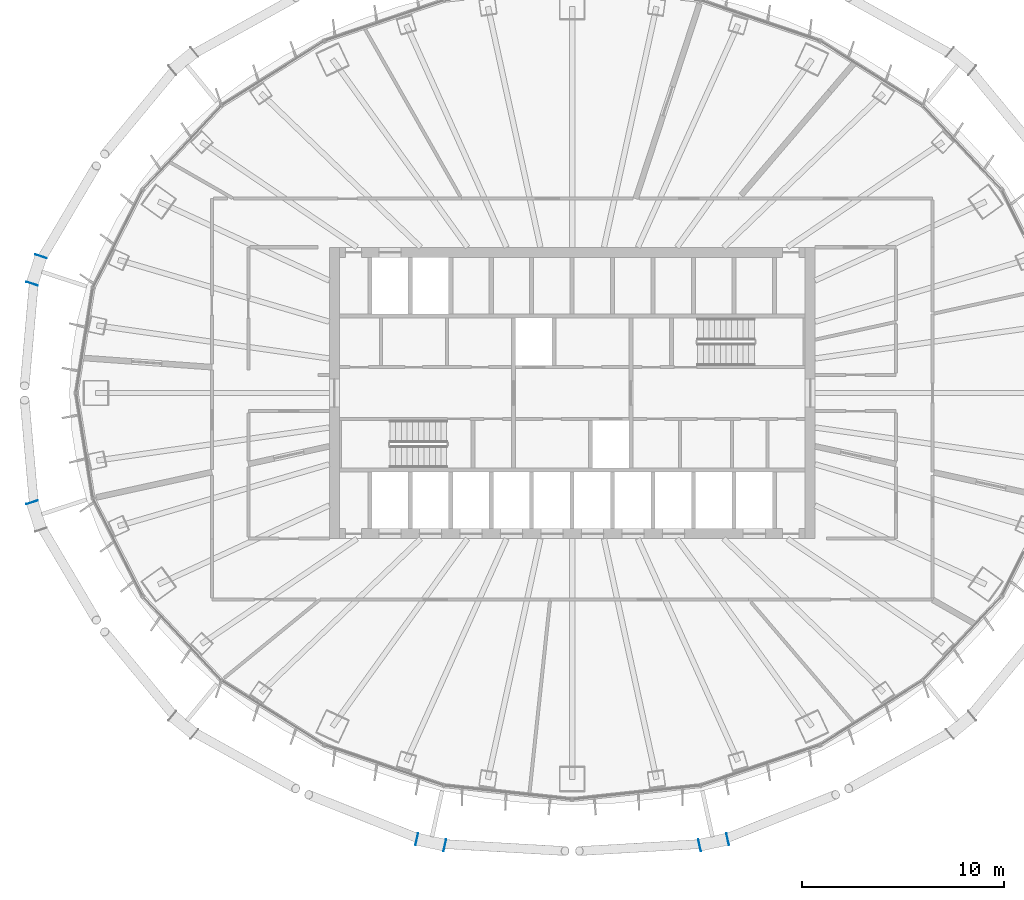
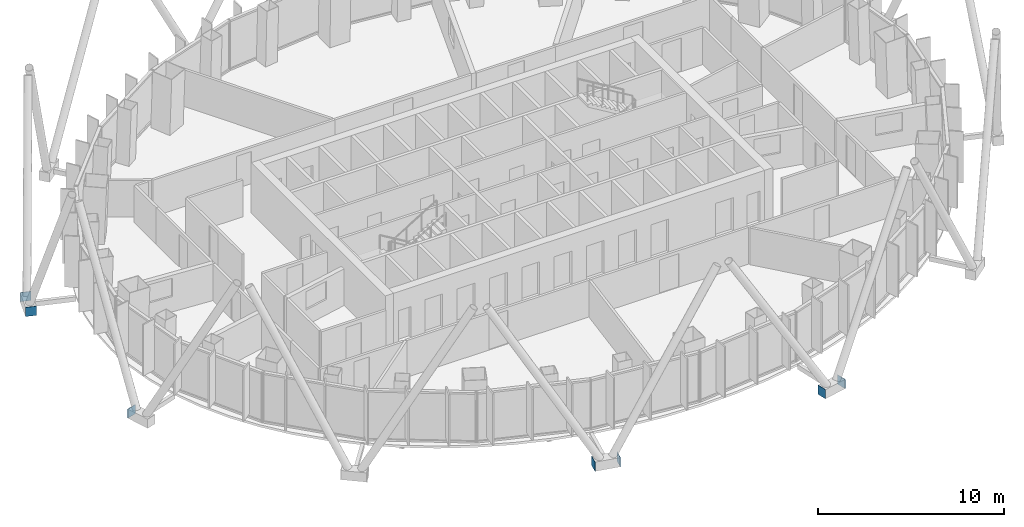
# One storey, part 12 of 18: 7 discrete accessories.
"""IFC4 building model written with IfcOpenShell, lengths in metres."""

from ifc_helpers import new_model, si_unit, direction, frame, origin, origin_2d, place, context, subcontext, project, spatial, rectangle, extrude, material, layer, layer_set, type_object, element, save


model = new_model("IFC4")

# Units and contexts
model_context = context("Model", 3, precision=1e-05, world=origin(), true_north=direction((0.0, 1.0)))
body_context = subcontext(model_context, "Body", "Model", "MODEL_VIEW")
ifc_project = project(units=[si_unit("LENGTHUNIT", "METRE"), si_unit("AREAUNIT", "SQUARE_METRE"), si_unit("VOLUMEUNIT", "CUBIC_METRE"), si_unit("PLANEANGLEUNIT", "RADIAN"), si_unit("MASSUNIT", "GRAM", prefix="KILO")], contexts=[model_context])

# Site, building, storey
site_placement = place(None, origin())
site = spatial("IfcSite", under=ifc_project, at=site_placement, CompositionType="ELEMENT")
building_placement = place(site_placement, origin())
building = spatial("IfcBuilding", under=site, at=building_placement, Name="Siaravel Broadcast Tower", CompositionType="ELEMENT")
storey_placement = place(building_placement, frame((0.0, 0.0, 141.5)))
storey = spatial("IfcBuildingStorey", under=building, at=storey_placement, Name="L34", CompositionType="ELEMENT", Elevation=141.5)

# Discrete accessories
ifc_material = material(Name="Steel S355", Category="steel")
ifc_layer = layer(ifc_material, 0.02001953125)
ifc_layer_set = layer_set([ifc_layer], Name="Steel S355")
discrete_accessory_type = type_object("IfcDiscreteAccessoryType", Name="Steel end plate 20 mm", PredefinedType="USERDEFINED", material=ifc_layer_set)
for number, where, z_axis, x_axis, name in (
    (1, (-26.682373046875, 5.399169921875, -0.5), (0.0, 0.0, 1.0), (-0.310908675, -0.950439791, 0.0), "End plate R14 station 33A"),
    (2, (-26.240966796875, 6.74853515625, -0.5), (0.0, 0.0, 1.0), (-0.310908675, -0.950439791, 0.0), "End plate R14 station 33B"),
    (3, (-26.682373046875, -5.399169921875, -0.5), (0.0, 0.0, 1.0), (0.310908675, -0.950439791, 0.0), "End plate R14 station 39B"),
    (4, (-6.292236328125, -22.3427734375, -0.5), (0.0, 0.0, 1.0), (0.976750543, -0.214379048, 0.0), "End plate R14 station 51A"),
    (5, (-7.678955078125, -22.038330078125, -0.5), (0.0, 0.0, 1.0), (0.976750543, -0.214379048, 0.0), "End plate R14 station 51B"),
    (6, (7.678955078125, -22.038330078125, -0.5), (0.0, 0.0, 1.0), (0.976750543, 0.214379048, 0.0), "End plate R14 station 57A"),
    (7, (6.292236328125, -22.3427734375, -0.5), (0.0, 0.0, 1.0), (0.976750543, 0.214379048, 0.0), "End plate R14 station 57B"),
):
    element("IfcDiscreteAccessory", number, at=place(storey_placement, frame(where, z_axis=z_axis, x_axis=x_axis)), inside=storey, type_object=discrete_accessory_type, Name=name, ObjectType="END PLATE", PredefinedType="USERDEFINED", context=body_context, shape_type="SweptSolid", body=[
        extrude(rectangle(XDim=0.02001953125, YDim=0.60009765625, at=origin_2d()), origin(), (0.0, 0.0, 1.0), 0.60009765625),
    ])

save(model, "model.ifc")
